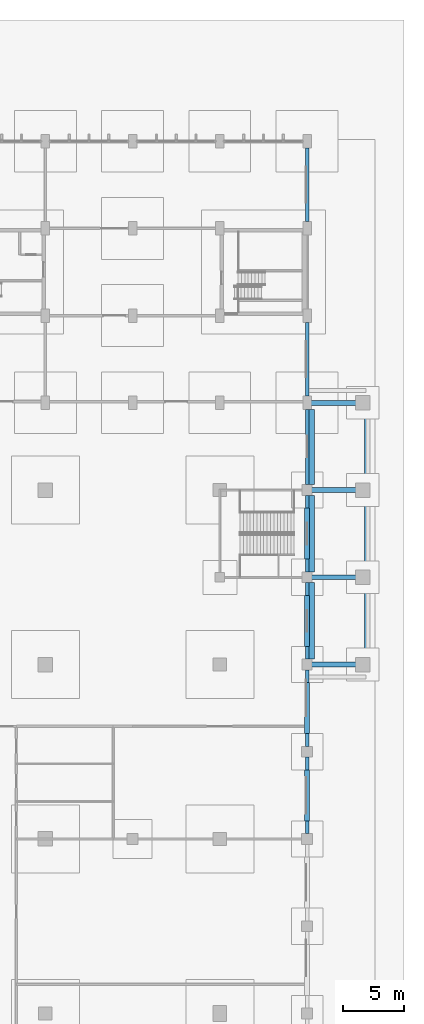
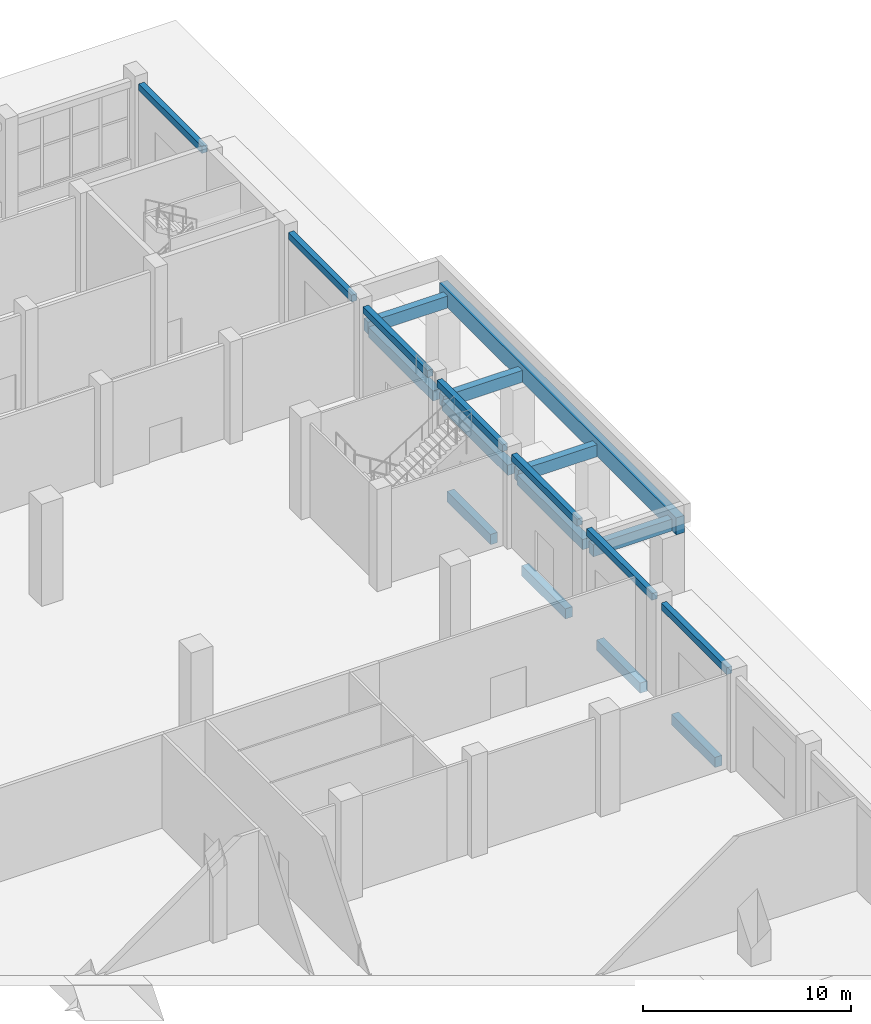
# One storey, part 25 of 70: 19 beams.
"""IFC4 building model written with IfcOpenShell, lengths in metres."""

from ifc_helpers import new_model, si_unit, direction, frame, origin, origin_2d, place, context, subcontext, project, spatial, rectangle, extrude, material, material_profile, profile_set, type_object, element, save


model = new_model("IFC4")

# Units and contexts
model_context = context("Model", 3, precision=1e-05, world=origin(), true_north=direction((0.0, 1.0)))
body_context = subcontext(model_context, "Body", "Model", "MODEL_VIEW")
ifc_project = project(units=[si_unit("LENGTHUNIT", "METRE"), si_unit("AREAUNIT", "SQUARE_METRE"), si_unit("VOLUMEUNIT", "CUBIC_METRE"), si_unit("PLANEANGLEUNIT", "RADIAN"), si_unit("MASSUNIT", "GRAM", prefix="KILO")], contexts=[model_context])

# Site, building, storey
site_placement = place(None, origin())
site = spatial("IfcSite", under=ifc_project, at=site_placement, CompositionType="ELEMENT")
building_placement = place(site_placement, origin())
building = spatial("IfcBuilding", under=site, at=building_placement, Name="Vermilion Court Aquatics Centre", CompositionType="ELEMENT")
storey_placement = place(building_placement, origin())
storey = spatial("IfcBuildingStorey", under=building, at=storey_placement, Name="L00", CompositionType="ELEMENT", Elevation=0.0)

# Beams
ifc_material_1 = material(Name="Concrete 5000 psi", Category="concrete")
ifc_material_profile_1 = material_profile(ifc_material_1, rectangle(XDim=0.39990234375, YDim=0.699951171875, at=origin_2d()), Name="RC 400x700")
ifc_profile_set_1 = profile_set([ifc_material_profile_1], Name="Concrete 5000 psi")
beam_type_1 = type_object("IfcBeamType", Name="Podium canopy beam RC 400x700", PredefinedType="BEAM", material=ifc_profile_set_1)
for number, where, z_axis, x_axis, name in (
    (1, (194.77490234375, 72.0, 3.85009765625), (1.0, 0.0, 0.0), (0.0, 1.0, 0.0), "Canopy beam"),
    (2, (194.77490234375, 79.199951171875, 3.85009765625), (1.0, 0.0, 0.0), (0.0, 1.0, 0.0), "Canopy beam"),
    (3, (194.77490234375, 86.39990234375, 3.85009765625), (1.0, 0.0, 0.0), (0.0, 1.0, 0.0), "Canopy beam"),
):
    element("IfcBeam", number, at=place(storey_placement, frame(where, z_axis=z_axis, x_axis=x_axis)), inside=storey, type_object=beam_type_1, Name=name, PredefinedType="BEAM", context=body_context, shape_type="SweptSolid", body=[
        extrude(rectangle(XDim=0.39990234375, YDim=0.699951171875, at=origin_2d()), origin(), (0.0, 0.0, 1.0), 4.375),
    ])
beam_1_placement = place(storey_placement, frame((194.72509765625, 93.60009765625, 3.85009765625), z_axis=(1.0, 0.0, 0.0), x_axis=(0.0, 1.0, 0.0)))
element("IfcBeam", 4, at=beam_1_placement, inside=storey, type_object=beam_type_1, Name="Canopy beam", PredefinedType="BEAM", context=body_context, shape_type="SweptSolid", body=[
    extrude(rectangle(XDim=0.39990234375, YDim=0.699951171875, at=origin_2d()), origin(), (0.0, 0.0, 1.0), 4.4248046875),
])
ifc_material_2 = material(Name="Concrete 5000 psi", Category="concrete")
ifc_material_profile_2 = material_profile(ifc_material_2, rectangle(XDim=0.449951171875, YDim=1.0, at=origin_2d()), Name="RC 450x1000")
ifc_profile_set_2 = profile_set([ifc_material_profile_2], Name="Concrete 5000 psi")
beam_type_2 = type_object("IfcBeamType", Name="Podium canopy fascia beam RC 450x1000", PredefinedType="BEAM", material=ifc_profile_set_2)
beam_2_placement = place(storey_placement, frame((199.375, 71.39990234375, 4.0), z_axis=(0.0, 1.0, 0.0), x_axis=(-1.0, 0.0, 0.0)))
element("IfcBeam", 5, at=beam_2_placement, inside=storey, type_object=beam_type_2, Name="Canopy fascia beam", PredefinedType="BEAM", context=body_context, shape_type="SweptSolid", body=[
    extrude(rectangle(XDim=0.449951171875, YDim=1.0, at=origin_2d()), origin(), (0.0, 0.0, 1.0), 22.800048828125),
])
ifc_material_3 = material(Name="Concrete 5000 psi", Category="concrete")
ifc_material_profile_3 = material_profile(ifc_material_3, rectangle(XDim=0.449951171875, YDim=0.60009765625, at=origin_2d()), Name="RC 450x600")
ifc_profile_set_3 = profile_set([ifc_material_profile_3], Name="Concrete 5000 psi")
beam_type_3 = type_object("IfcBeamType", Name="Podium canopy seat beam RC 450x600", PredefinedType="BEAM", material=ifc_profile_set_3)
for number, where, z_axis, x_axis, name in (
    (6, (194.77490234375, 72.449951171875, 3.89990234375), (0.0, 1.0, 0.0), (-1.0, 0.0, 0.0), "Canopy seat beam"),
    (7, (194.77490234375, 79.64990234375, 3.89990234375), (0.0, 1.0, 0.0), (-1.0, 0.0, 0.0), "Canopy seat beam"),
):
    element("IfcBeam", number, at=place(storey_placement, frame(where, z_axis=z_axis, x_axis=x_axis)), inside=storey, type_object=beam_type_3, Name=name, PredefinedType="BEAM", context=body_context, shape_type="SweptSolid", body=[
        extrude(rectangle(XDim=0.449951171875, YDim=0.60009765625, at=origin_2d()), origin(), (0.0, 0.0, 1.0), 6.300048828125),
    ])
beam_3_placement = place(storey_placement, frame((194.77490234375, 86.85009765625, 3.89990234375), z_axis=(0.0, 1.0, 0.0), x_axis=(-1.0, 0.0, 0.0)))
element("IfcBeam", 8, at=beam_3_placement, inside=storey, type_object=beam_type_3, Name="Canopy seat beam", PredefinedType="BEAM", context=body_context, shape_type="SweptSolid", body=[
    extrude(rectangle(XDim=0.449951171875, YDim=0.60009765625, at=origin_2d()), origin(), (0.0, 0.0, 1.0), 6.199951171875),
])
ifc_material_4 = material(Name="Concrete 5000 psi", Category="concrete")
ifc_material_profile_4 = material_profile(ifc_material_4, rectangle(XDim=0.39990234375, YDim=0.60009765625, at=origin_2d()), Name="RC 400x600")
ifc_profile_set_4 = profile_set([ifc_material_profile_4], Name="Concrete 5000 psi")
beam_type_4 = type_object("IfcBeamType", Name="Podium grade beam RC 400x600", PredefinedType="BEAM", material=ifc_profile_set_4)
for number, where, z_axis, x_axis, name in (
    (9, (194.39990234375, 59.10009765625, -0.679931640625), (0.0, 1.0, 0.0), (-1.0, 0.0, 0.0), "Grade beam E"),
    (10, (194.39990234375, 66.300048828125, -0.679931640625), (0.0, 1.0, 0.0), (-1.0, 0.0, 0.0), "Grade beam E"),
    (11, (194.39990234375, 73.5, -0.679931640625), (0.0, 1.0, 0.0), (-1.0, 0.0, 0.0), "Grade beam E"),
    (12, (194.39990234375, 80.699951171875, -0.679931640625), (0.0, 1.0, 0.0), (-1.0, 0.0, 0.0), "Grade beam E"),
):
    element("IfcBeam", number, at=place(storey_placement, frame(where, z_axis=z_axis, x_axis=x_axis)), inside=storey, type_object=beam_type_4, Name=name, PredefinedType="BEAM", context=body_context, shape_type="SweptSolid", body=[
        extrude(rectangle(XDim=0.39990234375, YDim=0.60009765625, at=origin_2d()), origin(), (0.0, 0.0, 1.0), 4.199951171875),
    ])
ifc_material_5 = material(Name="Concrete 5000 psi", Category="concrete")
ifc_material_profile_5 = material_profile(ifc_material_5, rectangle(XDim=0.300048828125, YDim=0.39990234375, at=origin_2d()), Name="RC 300x400")
ifc_profile_set_5 = profile_set([ifc_material_profile_5], Name="Concrete 5000 psi")
beam_type_5 = type_object("IfcBeamType", Name="Podium spandrel beam RC 300x400", PredefinedType="BEAM", material=ifc_profile_set_5)
for number, where, z_axis, x_axis, name in (
    (13, (194.39990234375, 58.050048828125, 5.300048828125), (0.0, 1.0, 0.0), (-1.0, 0.0, 0.0), "Spandrel beam L00"),
    (14, (194.39990234375, 65.25, 5.300048828125), (0.0, 1.0, 0.0), (-1.0, 0.0, 0.0), "Spandrel beam L00"),
    (15, (194.39990234375, 72.449951171875, 5.300048828125), (0.0, 1.0, 0.0), (-1.0, 0.0, 0.0), "Spandrel beam L00"),
    (16, (194.39990234375, 79.64990234375, 5.300048828125), (0.0, 1.0, 0.0), (-1.0, 0.0, 0.0), "Spandrel beam L00"),
):
    element("IfcBeam", number, at=place(storey_placement, frame(where, z_axis=z_axis, x_axis=x_axis)), inside=storey, type_object=beam_type_5, Name=name, PredefinedType="BEAM", context=body_context, shape_type="SweptSolid", body=[
        extrude(rectangle(XDim=0.300048828125, YDim=0.39990234375, at=origin_2d()), origin(), (0.0, 0.0, 1.0), 6.300048828125),
    ])
beam_4_placement = place(storey_placement, frame((194.39990234375, 86.85009765625, 5.300048828125), z_axis=(0.0, 1.0, 0.0), x_axis=(-1.0, 0.0, 0.0)))
element("IfcBeam", 17, at=beam_4_placement, inside=storey, type_object=beam_type_5, Name="Spandrel beam L00", PredefinedType="BEAM", context=body_context, shape_type="SweptSolid", body=[
    extrude(rectangle(XDim=0.300048828125, YDim=0.39990234375, at=origin_2d()), origin(), (0.0, 0.0, 1.0), 6.199951171875),
])
beam_5_placement = place(storey_placement, frame((194.39990234375, 94.14990234375, 5.300048828125), z_axis=(0.0, 1.0, 0.0), x_axis=(-1.0, 0.0, 0.0)))
element("IfcBeam", 18, at=beam_5_placement, inside=storey, type_object=beam_type_5, Name="Spandrel beam L00", PredefinedType="BEAM", context=body_context, shape_type="SweptSolid", body=[
    extrude(rectangle(XDim=0.300048828125, YDim=0.39990234375, at=origin_2d()), origin(), (0.0, 0.0, 1.0), 6.10009765625),
])
beam_6_placement = place(storey_placement, frame((194.39990234375, 108.550048828125, 5.300048828125), z_axis=(0.0, 1.0, 0.0), x_axis=(-1.0, 0.0, 0.0)))
element("IfcBeam", 19, at=beam_6_placement, inside=storey, type_object=beam_type_5, Name="Spandrel beam L00", PredefinedType="BEAM", context=body_context, shape_type="SweptSolid", body=[
    extrude(rectangle(XDim=0.300048828125, YDim=0.39990234375, at=origin_2d()), origin(), (0.0, 0.0, 1.0), 6.099853515625),
])

save(model, "model.ifc")
